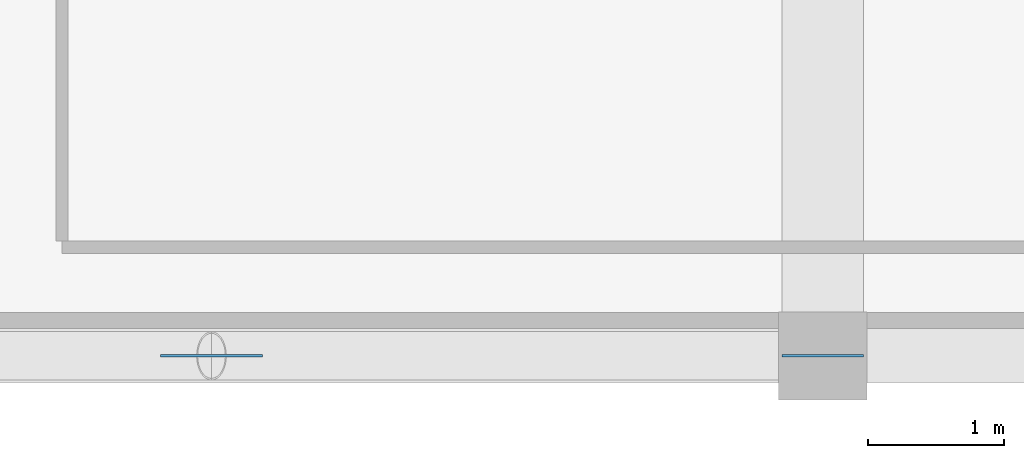
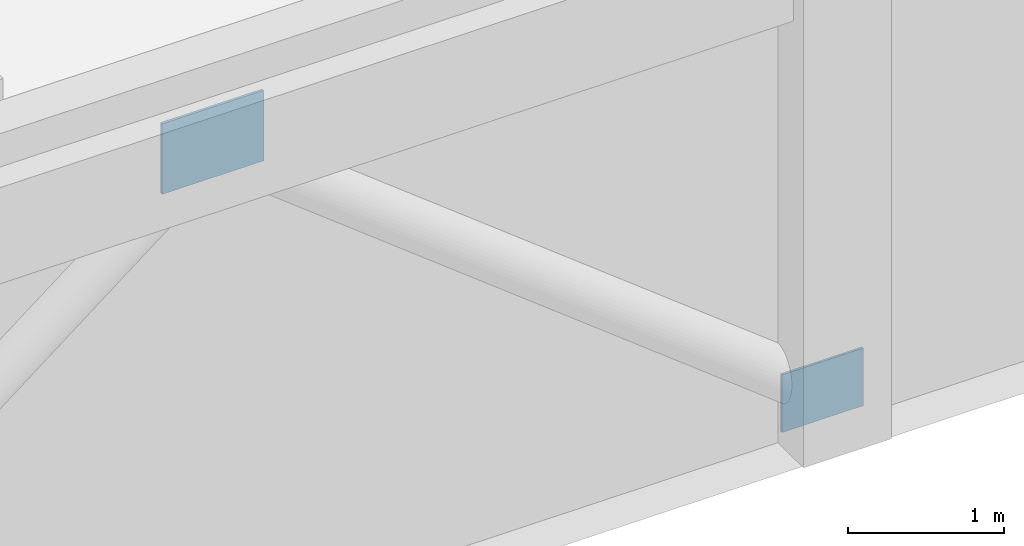
# One storey, part 105 of 133: 2 plates.
"""IFC4 building model written with IfcOpenShell, lengths in metres."""

from ifc_helpers import new_model, si_unit, direction, frame, origin, origin_2d, place, context, subcontext, project, spatial, rectangle, extrude, material, layer, layer_set, type_object, element, save


model = new_model("IFC4")

# Units and contexts
model_context = context("Model", 3, precision=1e-05, world=origin(), true_north=direction((0.0, 1.0)))
body_context = subcontext(model_context, "Body", "Model", "MODEL_VIEW")
ifc_project = project(units=[si_unit("LENGTHUNIT", "METRE"), si_unit("AREAUNIT", "SQUARE_METRE"), si_unit("VOLUMEUNIT", "CUBIC_METRE"), si_unit("PLANEANGLEUNIT", "RADIAN"), si_unit("MASSUNIT", "GRAM", prefix="KILO")], contexts=[model_context])

# Site, building, storey
site_placement = place(None, origin())
site = spatial("IfcSite", under=ifc_project, at=site_placement, CompositionType="ELEMENT")
building_placement = place(site_placement, origin())
building = spatial("IfcBuilding", under=site, at=building_placement, Name="Miravela Opera House", CompositionType="ELEMENT")
storey_placement = place(building_placement, frame((0.0, 0.0, 5.10009765625)))
storey = spatial("IfcBuildingStorey", under=building, at=storey_placement, Name="L01", CompositionType="ELEMENT", Elevation=5.10009765625)

# Plates
ifc_material = material(Name="Structural steel ASTM A572 Gr. 50", Category="steel")
ifc_layer_1 = layer(ifc_material, 0.01806640625)
ifc_layer_set_1 = layer_set([ifc_layer_1])
plate_type_1 = type_object("IfcPlateType", Name="STR-PL-GUS-600X450X18", PredefinedType="USERDEFINED", material=ifc_layer_set_1)
plate_1_placement = place(storey_placement, frame((135.0, 0.0, 0.07470703125), z_axis=(0.0, 0.0, 1.0), x_axis=(1.0, 0.0, 0.0)))
element("IfcPlate", 1, at=plate_1_placement, inside=storey, type_object=plate_type_1, Name="Brace Wall Cast-In Embed Plate 314", ObjectType="GUSSET PLATE", PredefinedType="USERDEFINED", context=body_context, shape_type="SweptSolid", body=[
    extrude(rectangle(XDim=0.60009765625, YDim=0.01806640625, at=origin_2d()), origin(), (0.0, 0.0, 1.0), 0.449951171875),
])
ifc_layer_2 = layer(ifc_material, 0.02001953125)
ifc_layer_set_2 = layer_set([ifc_layer_2])
plate_type_2 = type_object("IfcPlateType", Name="STR-PL-GUS-750X550X20", PredefinedType="USERDEFINED", material=ifc_layer_set_2)
plate_2_placement = place(storey_placement, frame((130.5, 0.0, 3.53466796875), z_axis=(0.0, 0.0, 1.0), x_axis=(1.0, 0.0, 0.0)))
element("IfcPlate", 2, at=plate_2_placement, inside=storey, type_object=plate_type_2, Name="Chevron Brace Apex Gusset Plate 312", ObjectType="GUSSET PLATE", PredefinedType="USERDEFINED", context=body_context, shape_type="SweptSolid", body=[
    extrude(rectangle(XDim=0.75, YDim=0.02001953125, at=origin_2d()), origin(), (0.0, 0.0, 1.0), 0.550048828125),
])

save(model, "model.ifc")
